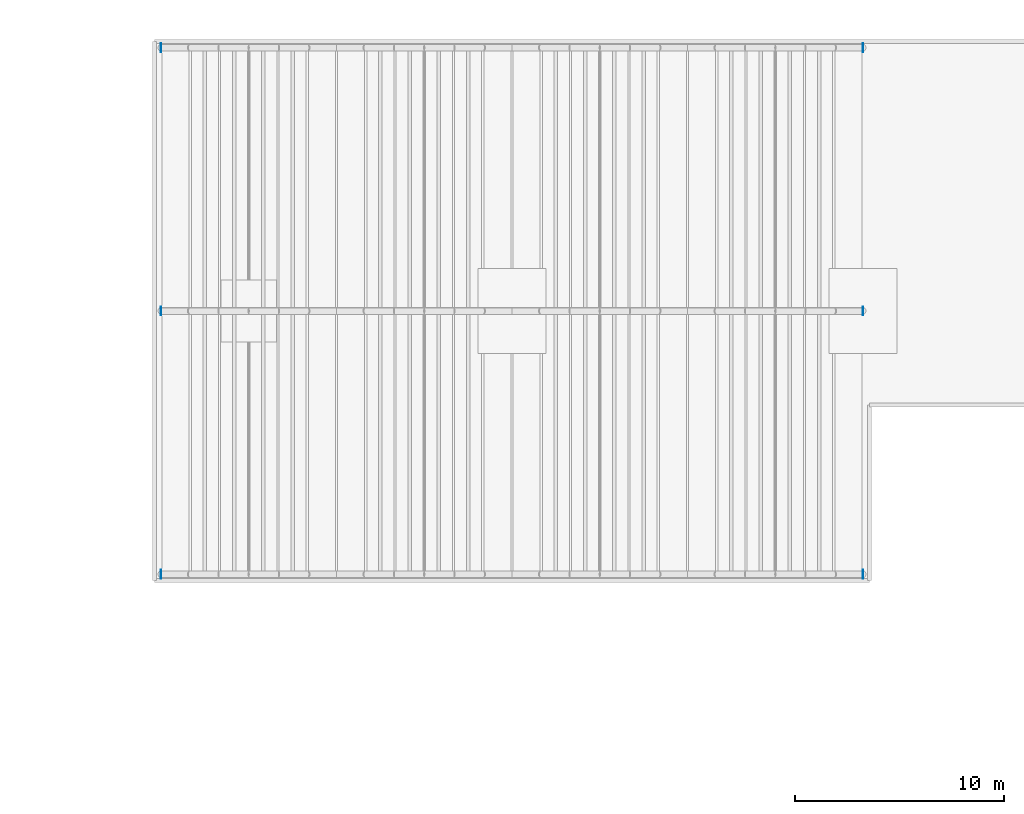
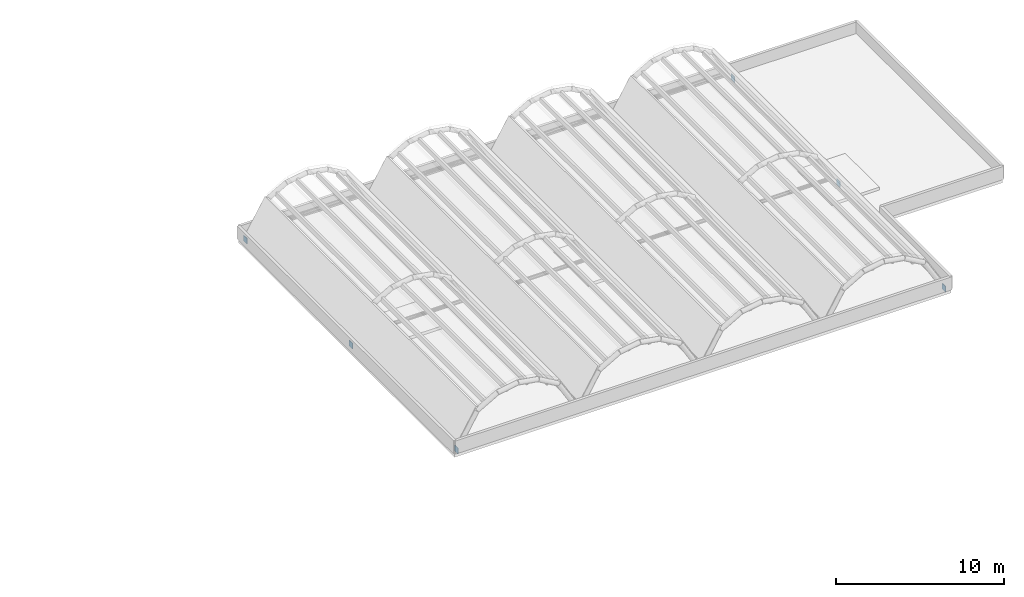
# One storey, part 25 of 34: 6 plates.
"""IFC4 building model written with IfcOpenShell, lengths in metres."""

from ifc_helpers import new_model, si_unit, direction, frame, origin, origin_2d, place, context, subcontext, project, spatial, rectangle, extrude, material, layer, layer_set, type_object, element, save


model = new_model("IFC4")

# Units and contexts
model_context = context("Model", 3, precision=1e-05, world=origin(), true_north=direction((0.0, 1.0)))
body_context = subcontext(model_context, "Body", "Model", "MODEL_VIEW")
ifc_project = project(units=[si_unit("LENGTHUNIT", "METRE"), si_unit("AREAUNIT", "SQUARE_METRE"), si_unit("VOLUMEUNIT", "CUBIC_METRE"), si_unit("PLANEANGLEUNIT", "RADIAN"), si_unit("MASSUNIT", "GRAM", prefix="KILO")], contexts=[model_context])

# Site, building, storey
site_placement = place(None, origin())
site = spatial("IfcSite", under=ifc_project, at=site_placement, CompositionType="ELEMENT")
building_placement = place(site_placement, origin())
building = spatial("IfcBuilding", under=site, at=building_placement, Name="Xazarin Passage Department Store", CompositionType="ELEMENT")
storey_placement = place(building_placement, frame((0.0, 0.0, 18.89990234375)))
storey = spatial("IfcBuildingStorey", under=building, at=storey_placement, Name="L04", CompositionType="ELEMENT", Elevation=18.89990234375)

# Plates
ifc_material = material(Name="Steel S355", Category="steel")
ifc_layer = layer(ifc_material, 0.02001953125)
ifc_layer_set = layer_set([ifc_layer], Name="Steel S355")
plate_type = type_object("IfcPlateType", Name="STR-PLT-CAP20", PredefinedType="USERDEFINED", material=ifc_layer_set)
for number, where, z_axis, x_axis, name in (
    (1, (102.39990234375, 84.800048828125, -0.2099609375), (0.0, 0.0, 1.0), (1.0, 0.0, 0.0), "L04 V4 Shell Arch Rib End Cap 1.1.W"),
    (2, (102.39990234375, 97.39990234375, -0.2099609375), (0.0, 0.0, 1.0), (1.0, 0.0, 0.0), "L04 V4 Shell Arch Rib End Cap 1.2.W"),
    (3, (102.39990234375, 110.0, -0.2099609375), (0.0, 0.0, 1.0), (1.0, 0.0, 0.0), "L04 V4 Shell Arch Rib End Cap 1.3.W"),
    (4, (136.0, 84.800048828125, -0.2099609375), (0.0, 0.0, 1.0), (1.0, 0.0, 0.0), "L04 V4 Shell Arch Rib End Cap 4.1.E"),
    (5, (136.0, 97.39990234375, -0.2099609375), (0.0, 0.0, 1.0), (1.0, 0.0, 0.0), "L04 V4 Shell Arch Rib End Cap 4.2.E"),
    (6, (136.0, 110.0, -0.2099609375), (0.0, 0.0, 1.0), (1.0, 0.0, 0.0), "L04 V4 Shell Arch Rib End Cap 4.3.E"),
):
    element("IfcPlate", number, at=place(storey_placement, frame(where, z_axis=z_axis, x_axis=x_axis)), inside=storey, type_object=plate_type, Name=name, ObjectType="GUSSET PLATE", PredefinedType="USERDEFINED", context=body_context, shape_type="SweptSolid", body=[
        extrude(rectangle(XDim=0.035888671875, YDim=0.419921875, at=origin_2d()), origin(), (0.0, 0.0, 1.0), 0.419921875),
    ])

save(model, "model.ifc")
